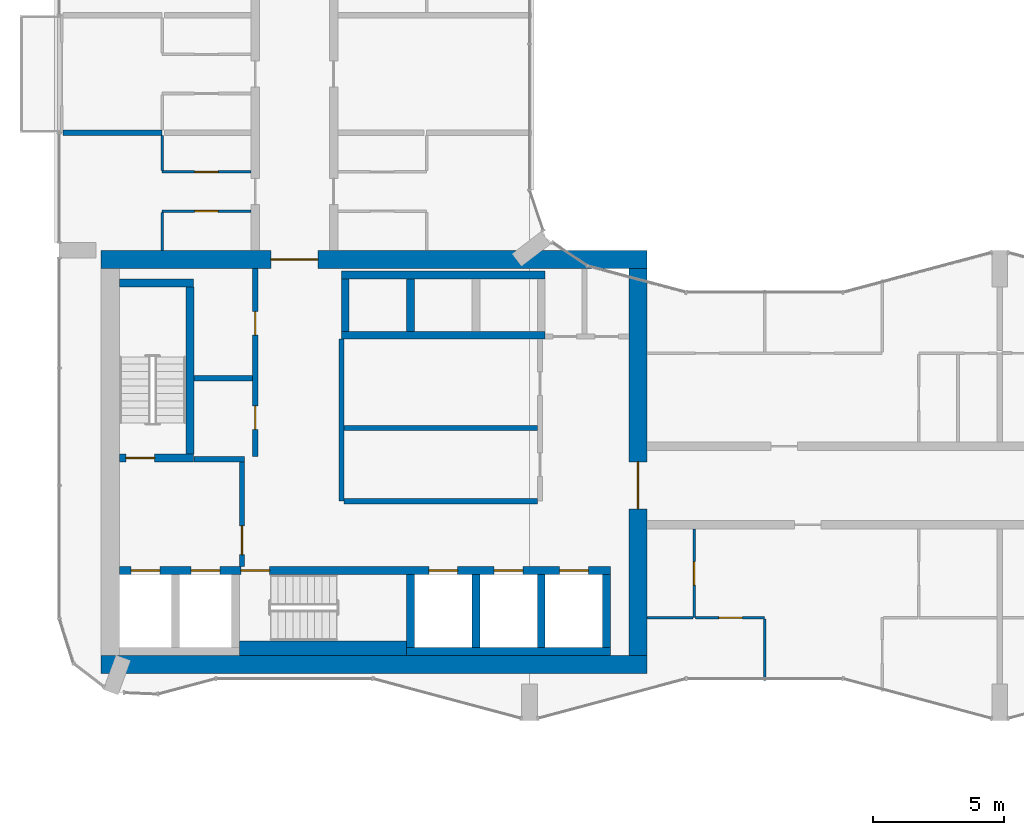
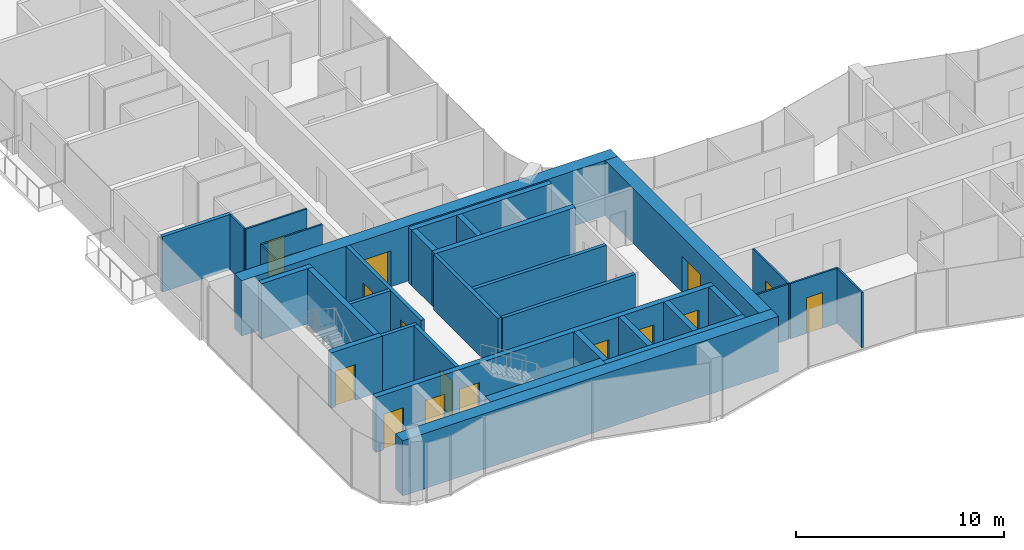
# One storey, part 13 of 23: 33 walls, 16 doors, 16 openings.
"""IFC4 building model written with IfcOpenShell, lengths in metres."""

from ifc_helpers import new_model, si_unit, direction, frame, frame_2d, origin, place, context, subcontext, project, spatial, rectangle, extrude, material, layer, layer_set, type_object, element, fill, save


model = new_model("IFC4")

# Units and contexts
model_context = context("Model", 3, precision=1e-05, world=origin(), true_north=direction((0.0, 1.0)))
body_context = subcontext(model_context, "Body", "Model", "MODEL_VIEW")
ifc_project = project(units=[si_unit("LENGTHUNIT", "METRE"), si_unit("AREAUNIT", "SQUARE_METRE"), si_unit("VOLUMEUNIT", "CUBIC_METRE"), si_unit("PLANEANGLEUNIT", "RADIAN"), si_unit("MASSUNIT", "GRAM", prefix="KILO")], contexts=[model_context])

# Site, building, storey
site_placement = place(None, origin())
site = spatial("IfcSite", under=ifc_project, at=site_placement, CompositionType="ELEMENT")
building_placement = place(site_placement, origin())
building = spatial("IfcBuilding", under=site, at=building_placement, Name="Plateau Cross Towers", CompositionType="ELEMENT")
storey_placement = place(building_placement, frame((0.0, 0.0, 95.800048828125)))
storey = spatial("IfcBuildingStorey", under=building, at=storey_placement, Name="L24", CompositionType="ELEMENT", Elevation=95.800048828125)

# Wall, opening, door
ifc_material_1 = material(Name="Concrete block, plastered both sides", Category="concrete")
ifc_layer_1 = layer(ifc_material_1, 0.199951171875)
ifc_layer_set_1 = layer_set([ifc_layer_1], Name="Concrete block, plastered both sides")
wall_type_1 = type_object("IfcWallType", Name="Core partition 200", PredefinedType="PARTITIONING", material=ifc_layer_set_1)
wall_1_placement = place(storey_placement, frame((7.0, 5.89990234375, 0.0), z_axis=(0.0, 0.0, 1.0), x_axis=(0.0, 1.0, 0.0)))
wall_1 = element("IfcWall", 1, at=wall_1_placement, inside=storey, type_object=wall_type_1, Name="Core partition", PredefinedType="PARTITIONING", context=body_context, shape_type="SweptSolid", body=[
    extrude(rectangle(XDim=4.0, YDim=0.199951171875, at=frame_2d((2.0, 0.0))), origin(), (0.0, 0.0, 1.0), 3.25),
])
opening_1_placement = place(wall_1_placement, frame((0.449951171875, 0.0, 0.0)))
opening_1 = element("IfcOpeningElement", 2, at=opening_1_placement, cuts=wall_1, Name="Opening FFD", PredefinedType="OPENING", context=body_context, shape_type="SweptSolid", body=[
    extrude(rectangle(XDim=1.10009765625, YDim=2.10009765625, at=frame_2d((0.550048828125, 1.050048828125))), frame((0.0, 0.10986328125, 0.0), z_axis=(0.0, -1.0, 0.0), x_axis=(1.0, 0.0, 0.0)), (0.0, 0.0, 1.0), 0.219970703125),
])
ifc_material_2 = material(Name="Steel, fire-resisting leaf", Category="steel")
door_type_1 = type_object("IfcDoorType", Name="Firefighting lobby door 1100", OperationType="NOTDEFINED", PredefinedType="DOOR", material=ifc_material_2)
door_1_placement = place(opening_1_placement, origin())
door_1 = element("IfcDoor", 3, at=door_1_placement, inside=storey, type_object=door_type_1, Name="Firefighting lobby door FFD", OperationType="SINGLE_SWING_LEFT", OverallHeight=2.10009765625, OverallWidth=1.10009765625, PredefinedType="DOOR", context=body_context, shape_type="SweptSolid", body=[
    extrude(rectangle(XDim=1.10009765625, YDim=2.10009765625, at=frame_2d((0.550048828125, 1.050048828125))), frame((0.0, 0.02490234375, 0.0), z_axis=(0.0, -1.0, 0.0), x_axis=(1.0, 0.0, 0.0)), (0.0, 0.0, 1.0), 0.050048828125),
])
fill(opening_1, door_1)

# Walls
wall_2_placement = place(storey_placement, frame((5.14990234375, 10.0, 0.0), z_axis=(0.0, 0.0, 1.0), x_axis=(1.0, 0.0, 0.0)))
element("IfcWall", 4, at=wall_2_placement, inside=storey, type_object=wall_type_1, Name="Core partition", PredefinedType="PARTITIONING", context=body_context, shape_type="SweptSolid", body=[
    extrude(rectangle(XDim=1.9501953125, YDim=0.199951171875, at=frame_2d((0.97509765625, 0.0))), origin(), (0.0, 0.0, 1.0), 3.25),
])
wall_3_placement = place(storey_placement, frame((10.800048828125, 8.39990234375, 0.0), z_axis=(0.0, 0.0, 1.0), x_axis=(0.0, 1.0, 0.0)))
element("IfcWall", 5, at=wall_3_placement, inside=storey, type_object=wall_type_1, Name="Core partition", PredefinedType="PARTITIONING", context=body_context, shape_type="SweptSolid", body=[
    extrude(rectangle(XDim=6.2001953125, YDim=0.199951171875, at=frame_2d((3.10009765625, 0.0))), origin(), (0.0, 0.0, 1.0), 3.25),
])
for number, where, z_axis, x_axis, name in (
    (6, (10.89990234375, 8.39990234375, 0.0), (0.0, 0.0, 1.0), (1.0, 0.0, 0.0), "Core partition"),
    (7, (10.89990234375, 11.199951171875, 0.0), (0.0, 0.0, 1.0), (1.0, 0.0, 0.0), "Core partition"),
):
    element("IfcWall", number, at=place(storey_placement, frame(where, z_axis=z_axis, x_axis=x_axis)), inside=storey, type_object=wall_type_1, Name=name, PredefinedType="PARTITIONING", context=body_context, shape_type="SweptSolid", body=[
        extrude(rectangle(XDim=7.400146484375, YDim=0.199951171875, at=frame_2d((3.7001953125, 0.0))), origin(), (0.0, 0.0, 1.0), 3.25),
    ])

# Wall, openings, doors
wall_4_placement = place(storey_placement, frame((7.5, 10.10009765625, 0.0), z_axis=(0.0, 0.0, 1.0), x_axis=(0.0, 1.0, 0.0)))
wall_4 = element("IfcWall", 8, at=wall_4_placement, inside=storey, type_object=wall_type_1, Name="Core partition", PredefinedType="PARTITIONING", context=body_context, shape_type="SweptSolid", body=[
    extrude(rectangle(XDim=7.199951171875, YDim=0.199951171875, at=frame_2d((3.60009765625, 0.0))), origin(), (0.0, 0.0, 1.0), 3.25),
])
opening_2_placement = place(wall_4_placement, frame((1.050048828125, 0.0, 0.0)))
opening_2 = element("IfcOpeningElement", 9, at=opening_2_placement, cuts=wall_4, Name="Opening RD1", PredefinedType="OPENING", context=body_context, shape_type="SweptSolid", body=[
    extrude(rectangle(XDim=0.89990234375, YDim=2.10009765625, at=frame_2d((0.449951171875, 1.050048828125))), frame((0.0, 0.10986328125, 0.0), z_axis=(0.0, -1.0, 0.0), x_axis=(1.0, 0.0, 0.0)), (0.0, 0.0, 1.0), 0.219970703125),
])
opening_3_placement = place(wall_4_placement, frame((4.64990234375, 0.0, 0.0)))
opening_3 = element("IfcOpeningElement", 10, at=opening_3_placement, cuts=wall_4, Name="Opening RD1", PredefinedType="OPENING", context=body_context, shape_type="SweptSolid", body=[
    extrude(rectangle(XDim=0.89990234375, YDim=2.10009765625, at=frame_2d((0.449951171875, 1.050048828125))), frame((0.0, 0.10986328125, 0.0), z_axis=(0.0, -1.0, 0.0), x_axis=(1.0, 0.0, 0.0)), (0.0, 0.0, 1.0), 0.219970703125),
])
ifc_material_3 = material(Name="Timber, fire-resisting leaf", Category="wood")
door_type_2 = type_object("IfcDoorType", Name="Core service door 900", OperationType="NOTDEFINED", PredefinedType="DOOR", material=ifc_material_3)
door_2_placement = place(opening_2_placement, origin())
door_2 = element("IfcDoor", 11, at=door_2_placement, inside=storey, type_object=door_type_2, Name="Core service door RD1", OperationType="SINGLE_SWING_RIGHT", OverallHeight=2.10009765625, OverallWidth=0.89990234375, PredefinedType="DOOR", context=body_context, shape_type="SweptSolid", body=[
    extrude(rectangle(XDim=0.89990234375, YDim=2.10009765625, at=frame_2d((0.449951171875, 1.050048828125))), frame((0.0, 0.02490234375, 0.0), z_axis=(0.0, -1.0, 0.0), x_axis=(1.0, 0.0, 0.0)), (0.0, 0.0, 1.0), 0.050048828125),
])
fill(opening_2, door_2)
door_3_placement = place(opening_3_placement, origin())
door_3 = element("IfcDoor", 12, at=door_3_placement, inside=storey, type_object=door_type_2, Name="Core service door RD1", OperationType="SINGLE_SWING_RIGHT", OverallHeight=2.10009765625, OverallWidth=0.89990234375, PredefinedType="DOOR", context=body_context, shape_type="SweptSolid", body=[
    extrude(rectangle(XDim=0.89990234375, YDim=2.10009765625, at=frame_2d((0.449951171875, 1.050048828125))), frame((0.0, 0.02490234375, 0.0), z_axis=(0.0, -1.0, 0.0), x_axis=(1.0, 0.0, 0.0)), (0.0, 0.0, 1.0), 0.050048828125),
])
fill(opening_3, door_3)

# Walls
wall_5_placement = place(storey_placement, frame((5.14990234375, 13.10009765625, 0.0), z_axis=(0.0, 0.0, 1.0), x_axis=(1.0, 0.0, 0.0)))
element("IfcWall", 13, at=wall_5_placement, inside=storey, type_object=wall_type_1, Name="Core partition", PredefinedType="PARTITIONING", context=body_context, shape_type="SweptSolid", body=[
    extrude(rectangle(XDim=2.25, YDim=0.199951171875, at=frame_2d((1.125, 0.0))), origin(), (0.0, 0.0, 1.0), 3.25),
])
ifc_material_4 = material(Name="Concrete C60/75", Category="concrete")
ifc_layer_2 = layer(ifc_material_4, 0.300048828125)
ifc_layer_set_2 = layer_set([ifc_layer_2], Name="Concrete C60/75")
wall_type_2 = type_object("IfcWallType", Name="Core shaft wall 300", PredefinedType="SHEAR", material=ifc_layer_set_2)
wall_6_placement = place(storey_placement, frame((13.300048828125, 2.64990234375, 0.0), z_axis=(0.0, 0.0, 1.0), x_axis=(1.0, 0.0, 0.0)))
element("IfcWall", 14, at=wall_6_placement, inside=storey, type_object=wall_type_2, Name="A-sb-back3@L24", PredefinedType="SHEAR", context=body_context, shape_type="SweptSolid", body=[
    extrude(rectangle(XDim=7.800048828125, YDim=0.300048828125, at=frame_2d((3.89990234375, 0.0))), origin(), (0.0, 0.0, 1.0), 3.25),
])
for number, where, z_axis, x_axis, name in (
    (15, (13.449951171875, 2.800048828125, 0.0), (0.0, 0.0, 1.0), (0.0, 1.0, 0.0), "A-sb-v3@L24"),
    (16, (15.949951171875, 2.800048828125, 0.0), (0.0, 0.0, 1.0), (0.0, 1.0, 0.0), "A-sb-v4@L24"),
    (17, (18.449951171875, 2.800048828125, 0.0), (0.0, 0.0, 1.0), (0.0, 1.0, 0.0), "A-sb-v5@L24"),
    (18, (20.949951171875, 2.800048828125, 0.0), (0.0, 0.0, 1.0), (0.0, 1.0, 0.0), "A-sb-v6@L24"),
):
    element("IfcWall", number, at=place(storey_placement, frame(where, z_axis=z_axis, x_axis=x_axis)), inside=storey, type_object=wall_type_2, Name=name, PredefinedType="SHEAR", context=body_context, shape_type="SweptSolid", body=[
        extrude(rectangle(XDim=2.800048828125, YDim=0.300048828125, at=frame_2d((1.39990234375, 0.0))), origin(), (0.0, 0.0, 1.0), 3.25),
    ])

# Wall, openings, doors
wall_7_placement = place(storey_placement, frame((2.300048828125, 5.75, 0.0), z_axis=(0.0, 0.0, 1.0), x_axis=(1.0, 0.0, 0.0)))
wall_7 = element("IfcWall", 19, at=wall_7_placement, inside=storey, type_object=wall_type_2, Name="A-sb-front@L24", PredefinedType="SHEAR", context=body_context, shape_type="SweptSolid", body=[
    extrude(rectangle(XDim=18.800048828125, YDim=0.300048828125, at=frame_2d((9.39990234375, 0.0))), origin(), (0.0, 0.0, 1.0), 3.25),
])
opening_4_placement = place(wall_7_placement, frame((4.64990234375, 0.0, 0.0)))
opening_4 = element("IfcOpeningElement", 20, at=opening_4_placement, cuts=wall_7, Name="Opening SD", PredefinedType="OPENING", context=body_context, shape_type="SweptSolid", body=[
    extrude(rectangle(XDim=1.10009765625, YDim=2.10009765625, at=frame_2d((0.550048828125, 1.050048828125))), frame((0.0, 0.159912109375, 0.0), z_axis=(0.0, -1.0, 0.0), x_axis=(1.0, 0.0, 0.0)), (0.0, 0.0, 1.0), 0.320068359375),
])
opening_5_placement = place(wall_7_placement, frame((0.449951171875, 0.0, 0.0)))
opening_5 = element("IfcOpeningElement", 21, at=opening_5_placement, cuts=wall_7, Name="Opening LD", PredefinedType="OPENING", context=body_context, shape_type="SweptSolid", body=[
    extrude(rectangle(XDim=1.10009765625, YDim=2.10009765625, at=frame_2d((0.550048828125, 1.050048828125))), frame((0.0, 0.159912109375, 0.0), z_axis=(0.0, -1.0, 0.0), x_axis=(1.0, 0.0, 0.0)), (0.0, 0.0, 1.0), 0.320068359375),
])
opening_6_placement = place(wall_7_placement, frame((2.75, 0.0, 0.0)))
opening_6 = element("IfcOpeningElement", 22, at=opening_6_placement, cuts=wall_7, Name="Opening LD", PredefinedType="OPENING", context=body_context, shape_type="SweptSolid", body=[
    extrude(rectangle(XDim=1.10009765625, YDim=2.10009765625, at=frame_2d((0.550048828125, 1.050048828125))), frame((0.0, 0.159912109375, 0.0), z_axis=(0.0, -1.0, 0.0), x_axis=(1.0, 0.0, 0.0)), (0.0, 0.0, 1.0), 0.320068359375),
])
opening_7_placement = place(wall_7_placement, frame((11.85009765625, 0.0, 0.0)))
opening_7 = element("IfcOpeningElement", 23, at=opening_7_placement, cuts=wall_7, Name="Opening LD", PredefinedType="OPENING", context=body_context, shape_type="SweptSolid", body=[
    extrude(rectangle(XDim=1.10009765625, YDim=2.10009765625, at=frame_2d((0.550048828125, 1.050048828125))), frame((0.0, 0.159912109375, 0.0), z_axis=(0.0, -1.0, 0.0), x_axis=(1.0, 0.0, 0.0)), (0.0, 0.0, 1.0), 0.320068359375),
])
opening_8_placement = place(wall_7_placement, frame((14.35009765625, 0.0, 0.0)))
opening_8 = element("IfcOpeningElement", 24, at=opening_8_placement, cuts=wall_7, Name="Opening LD", PredefinedType="OPENING", context=body_context, shape_type="SweptSolid", body=[
    extrude(rectangle(XDim=1.10009765625, YDim=2.10009765625, at=frame_2d((0.550048828125, 1.050048828125))), frame((0.0, 0.159912109375, 0.0), z_axis=(0.0, -1.0, 0.0), x_axis=(1.0, 0.0, 0.0)), (0.0, 0.0, 1.0), 0.320068359375),
])
opening_9_placement = place(wall_7_placement, frame((16.85009765625, 0.0, 0.0)))
opening_9 = element("IfcOpeningElement", 25, at=opening_9_placement, cuts=wall_7, Name="Opening LD", PredefinedType="OPENING", context=body_context, shape_type="SweptSolid", body=[
    extrude(rectangle(XDim=1.10009765625, YDim=2.10009765625, at=frame_2d((0.550048828125, 1.050048828125))), frame((0.0, 0.159912109375, 0.0), z_axis=(0.0, -1.0, 0.0), x_axis=(1.0, 0.0, 0.0)), (0.0, 0.0, 1.0), 0.320068359375),
])
ifc_material_5 = material(Name="Stainless steel, fire-resisting sliding leaves", Category="steel")
door_type_3 = type_object("IfcDoorType", Name="Lift landing door 1100", OperationType="NOTDEFINED", PredefinedType="DOOR", material=ifc_material_5)
door_4_placement = place(opening_5_placement, origin())
door_4 = element("IfcDoor", 26, at=door_4_placement, inside=storey, type_object=door_type_3, Name="Lift landing door LD", OperationType="DOUBLE_DOOR_SLIDING", OverallHeight=2.10009765625, OverallWidth=1.10009765625, PredefinedType="DOOR", context=body_context, shape_type="SweptSolid", body=[
    extrude(rectangle(XDim=1.10009765625, YDim=2.10009765625, at=frame_2d((0.550048828125, 1.050048828125))), frame((0.0, 0.02490234375, 0.0), z_axis=(0.0, -1.0, 0.0), x_axis=(1.0, 0.0, 0.0)), (0.0, 0.0, 1.0), 0.050048828125),
])
fill(opening_5, door_4)
door_5_placement = place(opening_6_placement, origin())
door_5 = element("IfcDoor", 27, at=door_5_placement, inside=storey, type_object=door_type_3, Name="Lift landing door LD", OperationType="DOUBLE_DOOR_SLIDING", OverallHeight=2.10009765625, OverallWidth=1.10009765625, PredefinedType="DOOR", context=body_context, shape_type="SweptSolid", body=[
    extrude(rectangle(XDim=1.10009765625, YDim=2.10009765625, at=frame_2d((0.550048828125, 1.050048828125))), frame((0.0, 0.02490234375, 0.0), z_axis=(0.0, -1.0, 0.0), x_axis=(1.0, 0.0, 0.0)), (0.0, 0.0, 1.0), 0.050048828125),
])
fill(opening_6, door_5)
door_6_placement = place(opening_7_placement, origin())
door_6 = element("IfcDoor", 28, at=door_6_placement, inside=storey, type_object=door_type_3, Name="Lift landing door LD", OperationType="DOUBLE_DOOR_SLIDING", OverallHeight=2.10009765625, OverallWidth=1.10009765625, PredefinedType="DOOR", context=body_context, shape_type="SweptSolid", body=[
    extrude(rectangle(XDim=1.10009765625, YDim=2.10009765625, at=frame_2d((0.550048828125, 1.050048828125))), frame((0.0, 0.02490234375, 0.0), z_axis=(0.0, -1.0, 0.0), x_axis=(1.0, 0.0, 0.0)), (0.0, 0.0, 1.0), 0.050048828125),
])
fill(opening_7, door_6)
door_7_placement = place(opening_8_placement, origin())
door_7 = element("IfcDoor", 29, at=door_7_placement, inside=storey, type_object=door_type_3, Name="Lift landing door LD", OperationType="DOUBLE_DOOR_SLIDING", OverallHeight=2.10009765625, OverallWidth=1.10009765625, PredefinedType="DOOR", context=body_context, shape_type="SweptSolid", body=[
    extrude(rectangle(XDim=1.10009765625, YDim=2.10009765625, at=frame_2d((0.550048828125, 1.050048828125))), frame((0.0, 0.02490234375, 0.0), z_axis=(0.0, -1.0, 0.0), x_axis=(1.0, 0.0, 0.0)), (0.0, 0.0, 1.0), 0.050048828125),
])
fill(opening_8, door_7)
door_8_placement = place(opening_9_placement, origin())
door_8 = element("IfcDoor", 30, at=door_8_placement, inside=storey, type_object=door_type_3, Name="Lift landing door LD", OperationType="DOUBLE_DOOR_SLIDING", OverallHeight=2.10009765625, OverallWidth=1.10009765625, PredefinedType="DOOR", context=body_context, shape_type="SweptSolid", body=[
    extrude(rectangle(XDim=1.10009765625, YDim=2.10009765625, at=frame_2d((0.550048828125, 1.050048828125))), frame((0.0, 0.02490234375, 0.0), z_axis=(0.0, -1.0, 0.0), x_axis=(1.0, 0.0, 0.0)), (0.0, 0.0, 1.0), 0.050048828125),
])
fill(opening_9, door_8)
door_type_4 = type_object("IfcDoorType", Name="Stair door 1100", OperationType="NOTDEFINED", PredefinedType="DOOR", material=ifc_material_2)
door_9_placement = place(opening_4_placement, origin())
door_9 = element("IfcDoor", 31, at=door_9_placement, inside=storey, type_object=door_type_4, Name="Stair door SD", OperationType="SINGLE_SWING_LEFT", OverallHeight=2.10009765625, OverallWidth=1.10009765625, PredefinedType="DOOR", context=body_context, shape_type="SweptSolid", body=[
    extrude(rectangle(XDim=1.10009765625, YDim=2.10009765625, at=frame_2d((0.550048828125, 1.050048828125))), frame((0.0, 0.02490234375, 0.0), z_axis=(0.0, -1.0, 0.0), x_axis=(1.0, 0.0, 0.0)), (0.0, 0.0, 1.0), 0.050048828125),
])
fill(opening_4, door_9)

# Wall, opening, door
wall_8_placement = place(storey_placement, frame((2.300048828125, 10.050048828125, 0.0), z_axis=(0.0, 0.0, 1.0), x_axis=(1.0, 0.0, 0.0)))
wall_8 = element("IfcWall", 32, at=wall_8_placement, inside=storey, type_object=wall_type_2, Name="A-st1-S@L24", PredefinedType="SHEAR", context=body_context, shape_type="SweptSolid", body=[
    extrude(rectangle(XDim=2.849853515625, YDim=0.300048828125, at=frame_2d((1.4248046875, 0.0))), origin(), (0.0, 0.0, 1.0), 3.25),
])
opening_10_placement = place(wall_8_placement, frame((0.25, 0.0, 0.0)))
opening_10 = element("IfcOpeningElement", 33, at=opening_10_placement, cuts=wall_8, Name="Opening SD", PredefinedType="OPENING", context=body_context, shape_type="SweptSolid", body=[
    extrude(rectangle(XDim=1.10009765625, YDim=2.10009765625, at=frame_2d((0.550048828125, 1.050048828125))), frame((0.0, 0.159912109375, 0.0), z_axis=(0.0, -1.0, 0.0), x_axis=(1.0, 0.0, 0.0)), (0.0, 0.0, 1.0), 0.320068359375),
])
door_10_placement = place(opening_10_placement, origin())
door_10 = element("IfcDoor", 34, at=door_10_placement, inside=storey, type_object=door_type_4, Name="Stair door SD", OperationType="SINGLE_SWING_RIGHT", OverallHeight=2.10009765625, OverallWidth=1.10009765625, PredefinedType="DOOR", context=body_context, shape_type="SweptSolid", body=[
    extrude(rectangle(XDim=1.10009765625, YDim=2.10009765625, at=frame_2d((0.550048828125, 1.050048828125))), frame((0.0, 0.02490234375, 0.0), z_axis=(0.0, -1.0, 0.0), x_axis=(1.0, 0.0, 0.0)), (0.0, 0.0, 1.0), 0.050048828125),
])
fill(opening_10, door_10)

# Walls
wall_9_placement = place(storey_placement, frame((5.0, 10.199951171875, 0.0), z_axis=(0.0, 0.0, 1.0), x_axis=(0.0, 1.0, 0.0)))
element("IfcWall", 35, at=wall_9_placement, inside=storey, type_object=wall_type_2, Name="A-st1-E@L24", PredefinedType="SHEAR", context=body_context, shape_type="SweptSolid", body=[
    extrude(rectangle(XDim=6.400146484375, YDim=0.300048828125, at=frame_2d((3.2001953125, 0.0))), origin(), (0.0, 0.0, 1.0), 3.25),
])
wall_10_placement = place(storey_placement, frame((2.300048828125, 16.75, 0.0), z_axis=(0.0, 0.0, 1.0), x_axis=(1.0, 0.0, 0.0)))
element("IfcWall", 36, at=wall_10_placement, inside=storey, type_object=wall_type_2, Name="A-st1-N@L24", PredefinedType="SHEAR", context=body_context, shape_type="SweptSolid", body=[
    extrude(rectangle(XDim=2.849853515625, YDim=0.300048828125, at=frame_2d((1.4248046875, 0.0))), origin(), (0.0, 0.0, 1.0), 3.25),
])
for number, where, z_axis, x_axis, name in (
    (37, (10.800048828125, 17.050048828125, 0.0), (0.0, 0.0, 1.0), (1.0, 0.0, 0.0), "A-nb-back@L24"),
    (38, (10.800048828125, 14.75, 0.0), (0.0, 0.0, 1.0), (1.0, 0.0, 0.0), "A-nb-front@L24"),
):
    element("IfcWall", number, at=place(storey_placement, frame(where, z_axis=z_axis, x_axis=x_axis)), inside=storey, type_object=wall_type_2, Name=name, PredefinedType="SHEAR", context=body_context, shape_type="SweptSolid", body=[
        extrude(rectangle(XDim=7.800048828125, YDim=0.300048828125, at=frame_2d((3.89990234375, 0.0))), origin(), (0.0, 0.0, 1.0), 3.25),
    ])
for number, where, z_axis, x_axis, name in (
    (39, (10.949951171875, 14.89990234375, 0.0), (0.0, 0.0, 1.0), (0.0, 1.0, 0.0), "A-nb-v1@L24"),
    (40, (13.449951171875, 14.89990234375, 0.0), (0.0, 0.0, 1.0), (0.0, 1.0, 0.0), "A-nb-v2@L24"),
):
    element("IfcWall", number, at=place(storey_placement, frame(where, z_axis=z_axis, x_axis=x_axis)), inside=storey, type_object=wall_type_2, Name=name, PredefinedType="SHEAR", context=body_context, shape_type="SweptSolid", body=[
        extrude(rectangle(XDim=2.0, YDim=0.300048828125, at=frame_2d((1.0, 0.0))), origin(), (0.0, 0.0, 1.0), 3.25),
    ])
ifc_layer_3 = layer(ifc_material_4, 0.550048828125)
ifc_layer_set_3 = layer_set([ifc_layer_3], Name="Concrete C60/75")
wall_type_3 = type_object("IfcWallType", Name="Core shaft wall 550", PredefinedType="SHEAR", material=ifc_layer_set_3)
wall_11_placement = place(storey_placement, frame((6.89990234375, 2.77490234375, 0.0), z_axis=(0.0, 0.0, 1.0), x_axis=(1.0, 0.0, 0.0)))
element("IfcWall", 41, at=wall_11_placement, inside=storey, type_object=wall_type_3, Name="A-sb-back2@L24", PredefinedType="SHEAR", context=body_context, shape_type="SweptSolid", body=[
    extrude(rectangle(XDim=6.400146484375, YDim=0.550048828125, at=frame_2d((3.2001953125, 0.0))), origin(), (0.0, 0.0, 1.0), 3.25),
])
ifc_layer_4 = layer(ifc_material_4, 0.699951171875)
ifc_layer_set_4 = layer_set([ifc_layer_4], Name="Concrete C60/75")
wall_type_4 = type_object("IfcWallType", Name="Core shell wall 700", PredefinedType="SHEAR", material=ifc_layer_set_4)
wall_12_placement = place(storey_placement, frame((1.60009765625, 2.14990234375, 0.0), z_axis=(0.0, 0.0, 1.0), x_axis=(1.0, 0.0, 0.0)))
element("IfcWall", 42, at=wall_12_placement, inside=storey, type_object=wall_type_4, Name="A-core-S@L24", PredefinedType="SHEAR", context=body_context, shape_type="SweptSolid", body=[
    extrude(rectangle(XDim=20.89990234375, YDim=0.699951171875, at=frame_2d((10.449951171875, 0.0))), origin(), (0.0, 0.0, 1.0), 3.25),
])

# Wall, opening, door
wall_13_placement = place(storey_placement, frame((1.60009765625, 17.64990234375, 0.0), z_axis=(0.0, 0.0, 1.0), x_axis=(1.0, 0.0, 0.0)))
wall_13 = element("IfcWall", 43, at=wall_13_placement, inside=storey, type_object=wall_type_4, Name="A-core-N@L24", PredefinedType="SHEAR", context=body_context, shape_type="SweptSolid", body=[
    extrude(rectangle(XDim=20.89990234375, YDim=0.699951171875, at=frame_2d((10.449951171875, 0.0))), origin(), (0.0, 0.0, 1.0), 3.25),
])
opening_11_placement = place(wall_13_placement, frame((6.5, 0.0, 0.0)))
opening_11 = element("IfcOpeningElement", 44, at=opening_11_placement, cuts=wall_13, Name="Opening CD", PredefinedType="OPENING", context=body_context, shape_type="SweptSolid", body=[
    extrude(rectangle(XDim=1.800048828125, YDim=2.10009765625, at=frame_2d((0.89990234375, 1.050048828125))), frame((0.0, 0.35986328125, 0.0), z_axis=(0.0, -1.0, 0.0), x_axis=(1.0, 0.0, 0.0)), (0.0, 0.0, 1.0), 0.719970703125),
])
ifc_material_6 = material(Name="Steel, fire-resisting leaves", Category="steel")
door_type_5 = type_object("IfcDoorType", Name="Corridor door pair 1800", OperationType="NOTDEFINED", PredefinedType="DOOR", material=ifc_material_6)
door_11_placement = place(opening_11_placement, origin())
door_11 = element("IfcDoor", 45, at=door_11_placement, inside=storey, type_object=door_type_5, Name="Corridor door pair CD", OperationType="DOUBLE_DOOR_SINGLE_SWING", OverallHeight=2.10009765625, OverallWidth=1.800048828125, PredefinedType="DOOR", context=body_context, shape_type="SweptSolid", body=[
    extrude(rectangle(XDim=1.800048828125, YDim=2.10009765625, at=frame_2d((0.89990234375, 1.050048828125))), frame((0.0, 0.02490234375, 0.0), z_axis=(0.0, -1.0, 0.0), x_axis=(1.0, 0.0, 0.0)), (0.0, 0.0, 1.0), 0.050048828125),
])
fill(opening_11, door_11)

wall_14_placement = place(storey_placement, frame((22.14990234375, 2.5, 0.0), z_axis=(0.0, 0.0, 1.0), x_axis=(0.0, 1.0, 0.0)))
wall_14 = element("IfcWall", 46, at=wall_14_placement, inside=storey, type_object=wall_type_4, Name="A-core-E@L24", PredefinedType="SHEAR", context=body_context, shape_type="SweptSolid", body=[
    extrude(rectangle(XDim=14.800048828125, YDim=0.699951171875, at=frame_2d((7.39990234375, 0.0))), origin(), (0.0, 0.0, 1.0), 3.25),
])
opening_12_placement = place(wall_14_placement, frame((5.60009765625, 0.0, 0.0)))
opening_12 = element("IfcOpeningElement", 47, at=opening_12_placement, cuts=wall_14, Name="Opening CD", PredefinedType="OPENING", context=body_context, shape_type="SweptSolid", body=[
    extrude(rectangle(XDim=1.800048828125, YDim=2.10009765625, at=frame_2d((0.89990234375, 1.050048828125))), frame((0.0, 0.35986328125, 0.0), z_axis=(0.0, -1.0, 0.0), x_axis=(1.0, 0.0, 0.0)), (0.0, 0.0, 1.0), 0.719970703125),
])
door_12_placement = place(opening_12_placement, origin())
door_12 = element("IfcDoor", 48, at=door_12_placement, inside=storey, type_object=door_type_5, Name="Corridor door pair CD", OperationType="DOUBLE_DOOR_SINGLE_SWING", OverallHeight=2.10009765625, OverallWidth=1.800048828125, PredefinedType="DOOR", context=body_context, shape_type="SweptSolid", body=[
    extrude(rectangle(XDim=1.800048828125, YDim=2.10009765625, at=frame_2d((0.89990234375, 1.050048828125))), frame((0.0, 0.02490234375, 0.0), z_axis=(0.0, -1.0, 0.0), x_axis=(1.0, 0.0, 0.0)), (0.0, 0.0, 1.0), 0.050048828125),
])
fill(opening_12, door_12)

ifc_material_7 = material(Name="Gypsum board on steel studs", Category="steel")
ifc_layer_5 = layer(ifc_material_7, 0.10009765625)
ifc_layer_set_5 = layer_set([ifc_layer_5], Name="Gypsum board on steel studs")
wall_type_5 = type_object("IfcWallType", Name="Flat partition 100", PredefinedType="PARTITIONING", material=ifc_layer_set_5)
wall_15_placement = place(storey_placement, frame((27.0, 3.9375, 0.0), z_axis=(0.0, 0.0, 1.0), x_axis=(-1.0, 0.0, 0.0)))
wall_15 = element("IfcWall", 49, at=wall_15_placement, inside=storey, type_object=wall_type_5, Name="Partition wall", PredefinedType="PARTITIONING", context=body_context, shape_type="SweptSolid", body=[
    extrude(rectangle(XDim=2.64990234375, YDim=0.10009765625, at=frame_2d((1.324951171875, 0.0))), origin(), (0.0, 0.0, 1.0), 3.25),
])
opening_13_placement = place(wall_15_placement, frame((0.85009765625, 0.0, 0.0)))
opening_13 = element("IfcOpeningElement", 50, at=opening_13_placement, cuts=wall_15, Name="Opening 24-20", PredefinedType="OPENING", context=body_context, shape_type="SweptSolid", body=[
    extrude(rectangle(XDim=0.89990234375, YDim=2.10009765625, at=frame_2d((0.449951171875, 1.050048828125))), frame((0.0, 0.06005859375, 0.0), z_axis=(0.0, -1.0, 0.0), x_axis=(1.0, 0.0, 0.0)), (0.0, 0.0, 1.0), 0.1201171875),
])
ifc_material_8 = material(Name="Timber leaf", Category="wood")
door_type_6 = type_object("IfcDoorType", Name="Flat room door 900", OperationType="NOTDEFINED", PredefinedType="DOOR", material=ifc_material_8)
door_13_placement = place(opening_13_placement, origin())
door_13 = element("IfcDoor", 51, at=door_13_placement, inside=storey, type_object=door_type_6, Name="Door 24-20", OperationType="SINGLE_SWING_LEFT", OverallHeight=2.10009765625, OverallWidth=0.89990234375, PredefinedType="DOOR", context=body_context, shape_type="SweptSolid", body=[
    extrude(rectangle(XDim=0.89990234375, YDim=2.10009765625, at=frame_2d((0.449951171875, 1.050048828125))), frame((0.0, 0.02490234375, 0.0), z_axis=(0.0, -1.0, 0.0), x_axis=(1.0, 0.0, 0.0)), (0.0, 0.0, 1.0), 0.050048828125),
])
fill(opening_13, door_13)

# Wall
wall_16_placement = place(storey_placement, frame((22.5, 3.9375, 0.0), z_axis=(0.0, 0.0, 1.0), x_axis=(1.0, 0.0, 0.0)))
element("IfcWall", 52, at=wall_16_placement, inside=storey, type_object=wall_type_5, Name="Partition wall", PredefinedType="PARTITIONING", context=body_context, shape_type="SweptSolid", body=[
    extrude(rectangle(XDim=1.75, YDim=0.10009765625, at=frame_2d((0.875, 0.0))), origin(), (0.0, 0.0, 1.0), 3.25),
])

# Wall, opening, door
wall_17_placement = place(storey_placement, frame((7.33740234375, 19.5, 0.0), z_axis=(0.0, 0.0, 1.0), x_axis=(-1.0, 0.0, 0.0)))
wall_17 = element("IfcWall", 53, at=wall_17_placement, inside=storey, type_object=wall_type_5, Name="Partition wall", PredefinedType="PARTITIONING", context=body_context, shape_type="SweptSolid", body=[
    extrude(rectangle(XDim=3.39990234375, YDim=0.10009765625, at=frame_2d((1.699951171875, 0.0))), origin(), (0.0, 0.0, 1.0), 3.25),
])
opening_14_placement = place(wall_17_placement, frame((1.25, 0.0, 0.0)))
opening_14 = element("IfcOpeningElement", 54, at=opening_14_placement, cuts=wall_17, Name="Opening 24-33", PredefinedType="OPENING", context=body_context, shape_type="SweptSolid", body=[
    extrude(rectangle(XDim=0.89990234375, YDim=2.10009765625, at=frame_2d((0.449951171875, 1.050048828125))), frame((0.0, 0.06005859375, 0.0), z_axis=(0.0, -1.0, 0.0), x_axis=(1.0, 0.0, 0.0)), (0.0, 0.0, 1.0), 0.1201171875),
])
door_14_placement = place(opening_14_placement, origin())
door_14 = element("IfcDoor", 55, at=door_14_placement, inside=storey, type_object=door_type_6, Name="Door 24-33", OperationType="SINGLE_SWING_LEFT", OverallHeight=2.10009765625, OverallWidth=0.89990234375, PredefinedType="DOOR", context=body_context, shape_type="SweptSolid", body=[
    extrude(rectangle(XDim=0.89990234375, YDim=2.10009765625, at=frame_2d((0.449951171875, 1.050048828125))), frame((0.0, 0.02490234375, 0.0), z_axis=(0.0, -1.0, 0.0), x_axis=(1.0, 0.0, 0.0)), (0.0, 0.0, 1.0), 0.050048828125),
])
fill(opening_14, door_14)

wall_18_placement = place(storey_placement, frame((3.9375, 21.0, 0.0), z_axis=(0.0, 0.0, 1.0), x_axis=(1.0, 0.0, 0.0)))
wall_18 = element("IfcWall", 56, at=wall_18_placement, inside=storey, type_object=wall_type_5, Name="Partition wall", PredefinedType="PARTITIONING", context=body_context, shape_type="SweptSolid", body=[
    extrude(rectangle(XDim=3.39990234375, YDim=0.10009765625, at=frame_2d((1.699951171875, 0.0))), origin(), (0.0, 0.0, 1.0), 3.25),
])
opening_15_placement = place(wall_18_placement, frame((1.25, 0.0, 0.0)))
opening_15 = element("IfcOpeningElement", 57, at=opening_15_placement, cuts=wall_18, Name="Opening 24-34", PredefinedType="OPENING", context=body_context, shape_type="SweptSolid", body=[
    extrude(rectangle(XDim=0.89990234375, YDim=2.10009765625, at=frame_2d((0.449951171875, 1.050048828125))), frame((0.0, 0.06005859375, 0.0), z_axis=(0.0, -1.0, 0.0), x_axis=(1.0, 0.0, 0.0)), (0.0, 0.0, 1.0), 0.1201171875),
])
door_15_placement = place(opening_15_placement, origin())
door_15 = element("IfcDoor", 58, at=door_15_placement, inside=storey, type_object=door_type_6, Name="Door 24-34", OperationType="SINGLE_SWING_LEFT", OverallHeight=2.10009765625, OverallWidth=0.89990234375, PredefinedType="DOOR", context=body_context, shape_type="SweptSolid", body=[
    extrude(rectangle(XDim=0.89990234375, YDim=2.10009765625, at=frame_2d((0.449951171875, 1.050048828125))), frame((0.0, 0.02490234375, 0.0), z_axis=(0.0, -1.0, 0.0), x_axis=(1.0, 0.0, 0.0)), (0.0, 0.0, 1.0), 0.050048828125),
])
fill(opening_15, door_15)

# Walls
wall_19_placement = place(storey_placement, frame((3.9375, 19.449951171875, 0.0), z_axis=(0.0, 0.0, 1.0), x_axis=(0.0, -1.0, 0.0)))
element("IfcWall", 59, at=wall_19_placement, inside=storey, type_object=wall_type_5, Name="Partition wall", PredefinedType="PARTITIONING", context=body_context, shape_type="SweptSolid", body=[
    extrude(rectangle(XDim=1.449951171875, YDim=0.10009765625, at=frame_2d((0.72509765625, 0.0))), origin(), (0.0, 0.0, 1.0), 3.25),
])
wall_20_placement = place(storey_placement, frame((3.9375, 22.39990234375, 0.0), z_axis=(0.0, 0.0, 1.0), x_axis=(0.0, -1.0, 0.0)))
element("IfcWall", 60, at=wall_20_placement, inside=storey, type_object=wall_type_5, Name="Partition wall", PredefinedType="PARTITIONING", context=body_context, shape_type="SweptSolid", body=[
    extrude(rectangle(XDim=1.349853515625, YDim=0.10009765625, at=frame_2d((0.6748046875, 0.0))), origin(), (0.0, 0.0, 1.0), 3.25),
])

# Wall, opening, door
wall_21_placement = place(storey_placement, frame((24.300048828125, 3.9375, 0.0), z_axis=(0.0, 0.0, 1.0), x_axis=(0.0, 1.0, 0.0)))
wall_21 = element("IfcWall", 61, at=wall_21_placement, inside=storey, type_object=wall_type_5, Name="Partition wall", PredefinedType="PARTITIONING", context=body_context, shape_type="SweptSolid", body=[
    extrude(rectangle(XDim=3.39990234375, YDim=0.10009765625, at=frame_2d((1.699951171875, 0.0))), origin(), (0.0, 0.0, 1.0), 3.25),
])
opening_16_placement = place(wall_21_placement, frame((1.25, 0.0, 0.0)))
opening_16 = element("IfcOpeningElement", 62, at=opening_16_placement, cuts=wall_21, Name="Opening 24-18", PredefinedType="OPENING", context=body_context, shape_type="SweptSolid", body=[
    extrude(rectangle(XDim=0.89990234375, YDim=2.10009765625, at=frame_2d((0.449951171875, 1.050048828125))), frame((0.0, 0.06005859375, 0.0), z_axis=(0.0, -1.0, 0.0), x_axis=(1.0, 0.0, 0.0)), (0.0, 0.0, 1.0), 0.1201171875),
])
door_16_placement = place(opening_16_placement, origin())
door_16 = element("IfcDoor", 63, at=door_16_placement, inside=storey, type_object=door_type_6, Name="Door 24-18", OperationType="SINGLE_SWING_LEFT", OverallHeight=2.10009765625, OverallWidth=0.89990234375, PredefinedType="DOOR", context=body_context, shape_type="SweptSolid", body=[
    extrude(rectangle(XDim=0.89990234375, YDim=2.10009765625, at=frame_2d((0.449951171875, 1.050048828125))), frame((0.0, 0.02490234375, 0.0), z_axis=(0.0, -1.0, 0.0), x_axis=(1.0, 0.0, 0.0)), (0.0, 0.0, 1.0), 0.050048828125),
])
fill(opening_16, door_16)

# Walls
wall_22_placement = place(storey_placement, frame((27.0, 1.52685546875, 0.0), z_axis=(0.0, 0.0, 1.0), x_axis=(0.0, 1.0, 0.0)))
element("IfcWall", 64, at=wall_22_placement, inside=storey, type_object=wall_type_5, Name="Partition wall", PredefinedType="PARTITIONING", context=body_context, shape_type="SweptSolid", body=[
    extrude(rectangle(XDim=2.360595703125, YDim=0.10009765625, at=frame_2d((1.18017578125, 0.0))), origin(), (0.0, 0.0, 1.0), 3.25),
])
ifc_material_9 = material(Name="Gypsum board on steel studs, two layers each side", Category="steel")
ifc_layer_6 = layer(ifc_material_9, 0.199951171875)
ifc_layer_set_6 = layer_set([ifc_layer_6], Name="Gypsum board on steel studs, two layers each side")
wall_type_6 = type_object("IfcWallType", Name="Flat party wall 200", PredefinedType="PARTITIONING", material=ifc_layer_set_6)
wall_23_placement = place(storey_placement, frame((0.14990234375, 22.5, 0.0), z_axis=(0.0, 0.0, 1.0), x_axis=(1.0, 0.0, 0.0)))
element("IfcWall", 65, at=wall_23_placement, inside=storey, type_object=wall_type_6, Name="Party wall", PredefinedType="PARTITIONING", context=body_context, shape_type="SweptSolid", body=[
    extrude(rectangle(XDim=3.78759765625, YDim=0.199951171875, at=frame_2d((1.893798828125, 0.0))), origin(), (0.0, 0.0, 1.0), 3.25),
])

save(model, "model.ifc")
